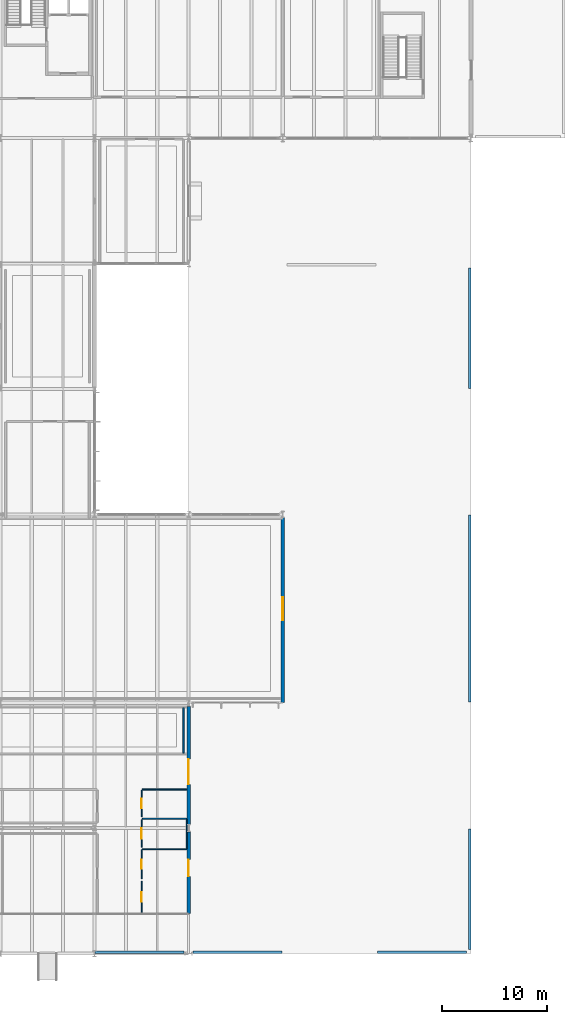
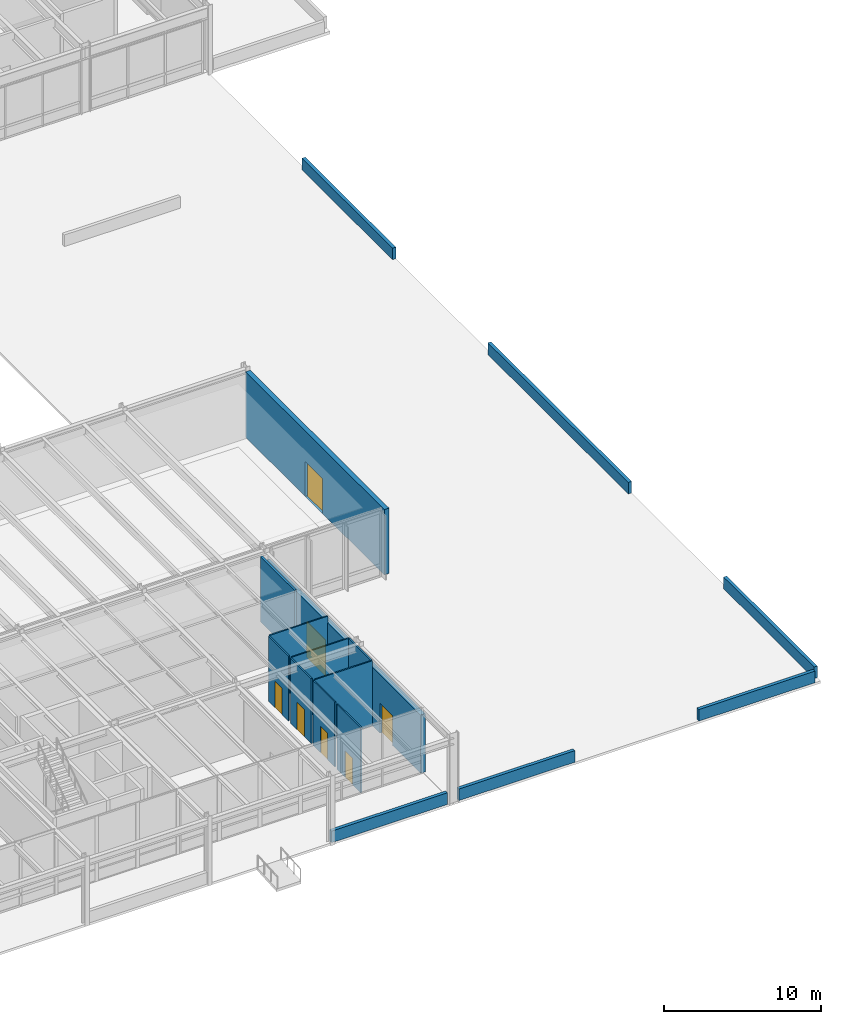
# One storey, part 128 of 143: 18 walls, 7 doors, 7 openings.
"""IFC4 building model written with IfcOpenShell, lengths in metres."""

import ifcopenshell
import ifcopenshell.guid

model = None  # the IFC model being written
_history = None  # IfcOwnerHistory: only IFC2X3 demands one
_inside = {}  # id of a spatial element -> (the spatial element, [elements in it])
_under = {}  # id of a project, library or spatial element -> (it, [spatial elements below it])
_declared = {}  # id of a project -> (the project, [libraries it declares])
_typed = {}  # id of a type object -> (the type object, [elements of that type])
_made_of = {}  # id of a material, layer set ... -> (it, [elements and type objects made of it])


def new_model(schema):
    """Start an empty IFC model of exactly this schema.

    Asked for "IFC4X3", IfcOpenShell would pick the latest addendum, in which some entities
    have other attributes; the version numbers below select the first issue.
    IFC2X3 requires an IfcOwnerHistory on every rooted entity: one is made here for all.
    """
    global model, _history
    if schema == "IFC4X3":
        model = ifcopenshell.file(schema_version=(4, 3, 0, 0))
    else:
        model = ifcopenshell.file(schema=schema)
    _inside.clear()
    _under.clear()
    _declared.clear()
    _typed.clear()
    _made_of.clear()
    _history = None
    if model.schema == "IFC2X3":
        org = make("IfcOrganization", Name="unknown")
        user = make(
            "IfcPersonAndOrganization",
            ThePerson=make("IfcPerson", FamilyName="unknown"),
            TheOrganization=org,
        )
        app = make(
            "IfcApplication",
            ApplicationDeveloper=org,
            Version="unknown",
            ApplicationFullName="unknown",
            ApplicationIdentifier="unknown",
        )
        _history = make(
            "IfcOwnerHistory",
            OwningUser=user,
            OwningApplication=app,
            ChangeAction="ADDED",
            CreationDate=0,
        )
    return model


def make(cls, **values):
    """One entity of the class cls with the attributes given. An attribute that is None is left unset."""
    return model.create_entity(
        cls, **{name: value for name, value in values.items() if value is not None}
    )


def rooted(cls, **values):
    """An entity with a GlobalId (a new one), such as an element, a storey or a relation."""
    return make(cls, GlobalId=ifcopenshell.guid.new(), OwnerHistory=_history, **values)


def si_unit(unit_type, name, prefix=None):
    """IfcSIUnit, for example si_unit("LENGTHUNIT", "METRE", prefix="MILLI")."""
    return make("IfcSIUnit", UnitType=unit_type, Prefix=prefix, Name=name)


def assignment(units):
    """IfcUnitAssignment: the units of a project."""
    return None if units is None else make("IfcUnitAssignment", Units=units)


def point(xyz):
    """IfcCartesianPoint."""
    return None if xyz is None else make("IfcCartesianPoint", Coordinates=xyz)


def direction(xyz):
    """IfcDirection."""
    return None if xyz is None else make("IfcDirection", DirectionRatios=xyz)


def frame(location, z_axis=None, x_axis=None):
    """IfcAxis2Placement3D, a coordinate frame: its origin and axes. An axis left out is left unset."""
    return make(
        "IfcAxis2Placement3D",
        Location=point(location),
        Axis=direction(z_axis),
        RefDirection=direction(x_axis),
    )


def frame_2d(location, x_axis=None):
    """IfcAxis2Placement2D, a coordinate frame in the plane: its origin and x axis."""
    return make(
        "IfcAxis2Placement2D", Location=point(location), RefDirection=direction(x_axis)
    )


def origin():
    """The frame at (0, 0, 0) with its axes left unset."""
    return frame((0.0, 0.0, 0.0))


def place(relative_to, where):
    """IfcLocalPlacement: puts the frame where relative to a parent placement (None: the world)."""
    return make(
        "IfcLocalPlacement", PlacementRelTo=relative_to, RelativePlacement=where
    )


def context(
    kind, dimensions, precision=None, world=None, true_north=None, identifier=None
):
    """IfcGeometricRepresentationContext, for example the 3D "Model" context."""
    return make(
        "IfcGeometricRepresentationContext",
        ContextIdentifier=identifier,
        ContextType=kind,
        CoordinateSpaceDimension=dimensions,
        Precision=precision,
        WorldCoordinateSystem=world,
        TrueNorth=true_north,
    )


def subcontext(parent, identifier, kind, view, scale=None):
    """IfcGeometricRepresentationSubContext, for example "Body" below "Model"."""
    return make(
        "IfcGeometricRepresentationSubContext",
        ContextIdentifier=identifier,
        ContextType=kind,
        ParentContext=parent,
        TargetScale=scale,
        TargetView=view,
    )


def project(units=None, contexts=None):
    """IfcProject with its units and contexts."""
    return rooted(
        "IfcProject",
        Name="project",
        RepresentationContexts=contexts,
        UnitsInContext=assignment(units),
    )


def spatial(cls, under=None, at=None, **own):
    """A site, building, storey or space (cls), placed at a placement, below another one or the project."""
    s = rooted(cls, ObjectPlacement=at, **own)
    if under is not None:
        _under.setdefault(under.id(), (under, []))[1].append(s)
    return s


def profile(cls, at=None, kind="AREA", **sizes):
    """A parametric profile (cls). Its sizes go by their IFC names, for example OverallWidth=200.0."""
    return make(cls, ProfileType=kind, Position=at, **sizes)


def rectangle(**sizes):
    """IfcRectangleProfileDef."""
    return profile("IfcRectangleProfileDef", **sizes)


def extrude(swept, where, along, depth):
    """IfcExtrudedAreaSolid: the profile swept, set in the frame where, extruded along a direction by depth."""
    return make(
        "IfcExtrudedAreaSolid",
        SweptArea=swept,
        Position=where,
        ExtrudedDirection=direction(along),
        Depth=depth,
    )


def shape(context_of_items, identifier, shape_type, items):
    """IfcShapeRepresentation: the items that make up one representation, for example the "Body"."""
    return make(
        "IfcShapeRepresentation",
        ContextOfItems=context_of_items,
        RepresentationIdentifier=identifier,
        RepresentationType=shape_type,
        Items=items,
    )


def material(Name=None, Category=None):
    """IfcMaterial."""
    return make("IfcMaterial", Name=Name, Category=Category)


def layer(
    of_material, thickness, ventilated=None, Name=None, Category=None, Priority=None
):
    """IfcMaterialLayer: one layer of a wall or slab, of a material (None: an air gap)."""
    return make(
        "IfcMaterialLayer",
        Material=of_material,
        LayerThickness=thickness,
        IsVentilated=ventilated,
        Name=Name,
        Category=Category,
        Priority=Priority,
    )


def layer_set(layers, Name=None):
    """IfcMaterialLayerSet."""
    return make("IfcMaterialLayerSet", MaterialLayers=layers, LayerSetName=Name)


def made_of(thing, what):
    """Note that an element or type object is made of a material, layer set ...; save() writes the relation."""
    if what is not None:
        _made_of.setdefault(what.id(), (what, []))[1].append(thing)
    return thing


def type_object(cls, material=None, **own):
    """A type object (cls), such as IfcWallType, which elements share."""
    return made_of(rooted(cls, **own), material)


def element(
    cls,
    number,
    at=None,
    inside=None,
    cuts=None,
    type_object=None,
    material=None,
    context=None,
    identifier="Body",
    shape_type=None,
    held_by="IfcProductDefinitionShape",
    body=None,
    shapes=None,
    **own,
):
    """One element of the class cls, such as IfcWall. Its Tag is "e" and its number.

    at: its placement. inside: the storey or other place that contains it. cuts: it is an
    opening in that element (IfcRelVoidsElement). A single representation is given by context,
    identifier, shape_type and body (its items); several are given by shapes. held_by: the class
    of the entity that holds the representations. save() writes the other relations.
    """
    e = rooted(cls, Tag="e%d" % number, ObjectPlacement=at, **own)
    if body is not None:
        shapes = [shape(context, identifier, shape_type, body)]
    if shapes is not None:
        e.Representation = make(held_by, Representations=shapes)
    if inside is not None:
        _inside.setdefault(inside.id(), (inside, []))[1].append(e)
    if cuts is not None:
        rooted(
            "IfcRelVoidsElement", RelatingBuildingElement=cuts, RelatedOpeningElement=e
        )
    if type_object is not None:
        _typed.setdefault(type_object.id(), (type_object, []))[1].append(e)
    return made_of(e, material)


def fill(opening, filler):
    """IfcRelFillsElement: the door or window that sits in an opening."""
    return rooted(
        "IfcRelFillsElement",
        RelatingOpeningElement=opening,
        RelatedBuildingElement=filler,
    )


def aggregate(whole, parts):
    """IfcRelAggregates: a whole, such as a stair, and the parts it consists of."""
    return rooted("IfcRelAggregates", RelatingObject=whole, RelatedObjects=parts)


def save(model, path):
    """Write the relations noted so far, then the file.

    IfcRelAggregates (storeys below a building ...), IfcRelContainedInSpatialStructure (elements
    in a storey), IfcRelDefinesByType, IfcRelAssociatesMaterial and IfcRelDeclares: one each for
    every whole, place, type object, material and project.
    """
    for whole, parts in _under.values():
        aggregate(whole, parts)
    for where, things in _inside.values():
        rooted(
            "IfcRelContainedInSpatialStructure",
            RelatedElements=things,
            RelatingStructure=where,
        )
    for kind, things in _typed.values():
        rooted("IfcRelDefinesByType", RelatedObjects=things, RelatingType=kind)
    for what, things in _made_of.values():
        rooted("IfcRelAssociatesMaterial", RelatedObjects=things, RelatingMaterial=what)
    for by, libraries in _declared.values():
        rooted("IfcRelDeclares", RelatingContext=by, RelatedDefinitions=libraries)
    model.write(path)


model = new_model("IFC4")

# Units and contexts
model_context = context("Model", 3, precision=1e-05, world=origin(), true_north=direction((0.0, 1.0)))
body_context = subcontext(model_context, "Body", "Model", "MODEL_VIEW")
ifc_project = project(units=[si_unit("LENGTHUNIT", "METRE"), si_unit("AREAUNIT", "SQUARE_METRE"), si_unit("VOLUMEUNIT", "CUBIC_METRE"), si_unit("PLANEANGLEUNIT", "RADIAN"), si_unit("MASSUNIT", "GRAM", prefix="KILO")], contexts=[model_context])

# Site, building, storey
site_placement = place(None, origin())
site = spatial("IfcSite", under=ifc_project, at=site_placement, CompositionType="ELEMENT")
building_placement = place(site_placement, origin())
building = spatial("IfcBuilding", under=site, at=building_placement, Name="Montelvaro Courts of Justice", CompositionType="ELEMENT")
storey_placement = place(building_placement, origin())
storey = spatial("IfcBuildingStorey", under=building, at=storey_placement, Name="L00", CompositionType="ELEMENT", Elevation=0.0)

# Wall
ifc_material_1 = material(Name="Gypsum board on metal stud")
ifc_layer_1 = layer(ifc_material_1, 0.14990234375)
ifc_layer_set_1 = layer_set([ifc_layer_1], Name="Gypsum board on metal stud")
wall_type_1 = type_object("IfcWallType", Name="ChambersPartition_150", PredefinedType="PARTITIONING", material=ifc_layer_set_1)
wall_1_placement = place(storey_placement, frame((134.5, 23.530029296875, 0.0), z_axis=(0.0, 0.0, 1.0), x_axis=(0.0, -1.0, 0.0)))
element("IfcWall", 1, at=wall_1_placement, inside=storey, type_object=wall_type_1, Name="Interior Partition IW-04 (L00)", PredefinedType="PARTITIONING", context=body_context, shape_type="SweptSolid", body=[
    extrude(rectangle(XDim=4.35009765625, YDim=0.14990234375, at=frame_2d((2.175048828125, 0.0))), origin(), (0.0, 0.0, 1.0), 5.0400390625),
])

# Wall, opening, door
ifc_material_2 = material(Name="Precast concrete C45/55", Category="concrete")
ifc_layer_2 = layer(ifc_material_2, 0.35009765625)
ifc_layer_set_2 = layer_set([ifc_layer_2], Name="Precast concrete C45/55")
wall_type_2 = type_object("IfcWallType", Name="ExtWall_Limestone_350", PredefinedType="SOLIDWALL", material=ifc_layer_set_2)
wall_2_placement = place(storey_placement, frame((144.0, 24.0400390625, 0.0), z_axis=(0.0, 0.0, 1.0), x_axis=(0.0, 1.0, 0.0)))
wall_2 = element("IfcWall", 2, at=wall_2_placement, inside=storey, type_object=wall_type_2, Name="Exterior Facade Wall EW-03 (L00)", PredefinedType="SOLIDWALL", context=body_context, shape_type="SweptSolid", body=[
    extrude(rectangle(XDim=17.661865234375, YDim=0.35009765625, at=frame_2d((8.8310546875, 0.0))), origin(), (0.0, 0.0, 1.0), 5.080078125),
])
opening_1_placement = place(wall_2_placement, frame((7.860107421875, 0.0, 0.0)))
opening_1 = element("IfcOpeningElement", 3, at=opening_1_placement, cuts=wall_2, Name="Opening ME-02", PredefinedType="OPENING", context=body_context, shape_type="SweptSolid", body=[
    extrude(rectangle(XDim=2.199951171875, YDim=2.699951171875, at=frame_2d((1.10009765625, 1.35009765625))), frame((0.0, 0.18994140625, 0.0), z_axis=(0.0, -1.0, 0.0), x_axis=(1.0, 0.0, 0.0)), (0.0, 0.0, 1.0), 0.3798828125),
])
ifc_material_3 = material(Name="Anodised aluminium and laminated safety glass", Category="aluminium")
door_type_1 = type_object("IfcDoorType", Name="ExtDoor_Main_220x270", OperationType="DOUBLE_DOOR_SINGLE_SWING", PredefinedType="DOOR", material=ifc_material_3)
door_1_placement = place(opening_1_placement, frame((2.199951171875, 0.0, 0.0), z_axis=(0.0, 0.0, 1.0), x_axis=(-1.0, 0.0, 0.0)))
door_1 = element("IfcDoor", 4, at=door_1_placement, inside=storey, type_object=door_type_1, Name="Main Public Entrance ME-02 Civil Registry", OperationType="DOUBLE_DOOR_SINGLE_SWING", OverallHeight=2.699951171875, OverallWidth=2.199951171875, PredefinedType="DOOR", context=body_context, shape_type="SweptSolid", body=[
    extrude(rectangle(XDim=2.199951171875, YDim=2.699951171875, at=frame_2d((1.10009765625, 1.35009765625))), frame((0.0, 0.02490234375, 0.0), z_axis=(0.0, -1.0, 0.0), x_axis=(1.0, 0.0, 0.0)), (0.0, 0.0, 1.0), 0.050048828125),
])
fill(opening_1, door_1)

wall_3_placement = place(storey_placement, frame((135.0, 3.840087890625, 0.0), z_axis=(0.0, 0.0, 1.0), x_axis=(0.0, 1.0, 0.0)))
wall_3 = element("IfcWall", 5, at=wall_3_placement, inside=storey, type_object=wall_type_2, Name="Exterior Facade Wall EW-03 (L00)", PredefinedType="SOLIDWALL", context=body_context, shape_type="SweptSolid", body=[
    extrude(rectangle(XDim=7.803955078125, YDim=0.35009765625, at=frame_2d((3.90185546875, 0.0))), origin(), (0.0, 0.0, 1.0), 4.52490234375),
])
opening_2_placement = place(wall_3_placement, frame((3.56005859375, 0.0, 0.0)))
opening_2 = element("IfcOpeningElement", 6, at=opening_2_placement, cuts=wall_3, Name="Opening ME-03", PredefinedType="OPENING", context=body_context, shape_type="SweptSolid", body=[
    extrude(rectangle(XDim=1.60009765625, YDim=2.300048828125, at=frame_2d((0.800048828125, 1.14990234375))), frame((0.0, 0.18994140625, 0.0), z_axis=(0.0, -1.0, 0.0), x_axis=(1.0, 0.0, 0.0)), (0.0, 0.0, 1.0), 0.3798828125),
])
ifc_material_4 = material(Name="Galvanised steel S355 fire door", Category="steel")
door_type_2 = type_object("IfcDoorType", Name="ExtDoor_Exit_160x230", OperationType="DOUBLE_DOOR_SINGLE_SWING", PredefinedType="DOOR", material=ifc_material_4)
door_2_placement = place(opening_2_placement, frame((1.60009765625, 0.0, 0.0), z_axis=(0.0, 0.0, 1.0), x_axis=(-1.0, 0.0, 0.0)))
door_2 = element("IfcDoor", 7, at=door_2_placement, inside=storey, type_object=door_type_2, Name="Public Concourse East Entrance ME-03", OperationType="DOUBLE_DOOR_SINGLE_SWING", OverallHeight=2.300048828125, OverallWidth=1.60009765625, PredefinedType="DOOR", context=body_context, shape_type="SweptSolid", body=[
    extrude(rectangle(XDim=1.60009765625, YDim=2.300048828125, at=frame_2d((0.800048828125, 1.14990234375))), frame((0.0, 0.02490234375, 0.0), z_axis=(0.0, -1.0, 0.0), x_axis=(1.0, 0.0, 0.0)), (0.0, 0.0, 1.0), 0.050048828125),
])
fill(opening_2, door_2)

wall_4_placement = place(storey_placement, frame((135.0, 12.35595703125, 0.0), z_axis=(0.0, 0.0, 1.0), x_axis=(0.0, 1.0, 0.0)))
wall_4 = element("IfcWall", 8, at=wall_4_placement, inside=storey, type_object=wall_type_2, Name="Exterior Facade Wall EW-03 (L00)", PredefinedType="SOLIDWALL", context=body_context, shape_type="SweptSolid", body=[
    extrude(rectangle(XDim=11.2880859375, YDim=0.35009765625, at=frame_2d((5.64404296875, 0.0))), origin(), (0.0, 0.0, 1.0), 4.52490234375),
])
opening_3_placement = place(wall_4_placement, frame((3.843994140625, 0.0, 0.0)))
opening_3 = element("IfcOpeningElement", 9, at=opening_3_placement, cuts=wall_4, Name="Opening ED-02", PredefinedType="OPENING", context=body_context, shape_type="SweptSolid", body=[
    extrude(rectangle(XDim=2.39990234375, YDim=2.800048828125, at=frame_2d((1.199951171875, 1.39990234375))), frame((0.0, 0.18994140625, 0.0), z_axis=(0.0, -1.0, 0.0), x_axis=(1.0, 0.0, 0.0)), (0.0, 0.0, 1.0), 0.3798828125),
])
door_type_3 = type_object("IfcDoorType", Name="ExtDoor_Main_240x280", OperationType="DOUBLE_DOOR_SINGLE_SWING", PredefinedType="DOOR", material=ifc_material_3)
door_3_placement = place(opening_3_placement, frame((2.39990234375, 0.0, 0.0), z_axis=(0.0, 0.0, 1.0), x_axis=(-1.0, 0.0, 0.0)))
door_3 = element("IfcDoor", 10, at=door_3_placement, inside=storey, type_object=door_type_3, Name="Final Pedestrian Exit ED-02 Stair ST-K2", OperationType="DOUBLE_DOOR_SINGLE_SWING", OverallHeight=2.800048828125, OverallWidth=2.39990234375, PredefinedType="DOOR", context=body_context, shape_type="SweptSolid", body=[
    extrude(rectangle(XDim=2.39990234375, YDim=2.800048828125, at=frame_2d((1.199951171875, 1.39990234375))), frame((0.0, 0.02490234375, 0.0), z_axis=(0.0, -1.0, 0.0), x_axis=(1.0, 0.0, 0.0)), (0.0, 0.0, 1.0), 0.050048828125),
])
fill(opening_3, door_3)

# Walls
ifc_material_5 = material(Name="White mineral precast concrete C45/55", Category="concrete")
ifc_layer_3 = layer(ifc_material_5, 0.239990234375)
ifc_layer_set_3 = layer_set([ifc_layer_3], Name="White mineral precast concrete C45/55")
wall_type_3 = type_object("IfcWallType", Name="ParapetWall_240", PredefinedType="PARAPET", material=ifc_layer_set_3)
for number, where, z_axis, x_axis, name in (
    (11, (135.419921875, 0.1201171875, 0.0), (0.0, 0.0, 1.0), (1.0, 0.0, 0.0), "Roof Parapet PW-01 L00-051"),
    (12, (153.06005859375, 0.1201171875, 0.0), (0.0, 0.0, 1.0), (1.0, 0.0, 0.0), "Roof Parapet PW-01 L00-052"),
):
    element("IfcWall", number, at=place(storey_placement, frame(where, z_axis=z_axis, x_axis=x_axis)), inside=storey, type_object=wall_type_3, Name=name, PredefinedType="PARAPET", context=body_context, shape_type="SweptSolid", body=[
        extrude(rectangle(XDim=8.52001953125, YDim=0.239990234375, at=frame_2d((4.260009765625, 0.0))), origin(), (0.0, 0.0, 1.0), 0.89990234375),
    ])
wall_5_placement = place(storey_placement, frame((161.8798828125, 0.419921875, 0.0), z_axis=(0.0, 0.0, 1.0), x_axis=(0.0, 1.0, 0.0)))
element("IfcWall", 13, at=wall_5_placement, inside=storey, type_object=wall_type_3, Name="Roof Parapet PW-01 L00-053", PredefinedType="PARAPET", context=body_context, shape_type="SweptSolid", body=[
    extrude(rectangle(XDim=11.52001953125, YDim=0.239990234375, at=frame_2d((5.760009765625, 0.0))), origin(), (0.0, 0.0, 1.0), 0.89990234375),
])
wall_6_placement = place(storey_placement, frame((161.8798828125, 24.06005859375, 0.0), z_axis=(0.0, 0.0, 1.0), x_axis=(0.0, 1.0, 0.0)))
element("IfcWall", 14, at=wall_6_placement, inside=storey, type_object=wall_type_3, Name="Roof Parapet PW-01 L00-054", PredefinedType="PARAPET", context=body_context, shape_type="SweptSolid", body=[
    extrude(rectangle(XDim=17.8798828125, YDim=0.239990234375, at=frame_2d((8.93994140625, 0.0))), origin(), (0.0, 0.0, 1.0), 0.89990234375),
])
wall_7_placement = place(storey_placement, frame((161.8798828125, 54.06005859375, 0.0), z_axis=(0.0, 0.0, 1.0), x_axis=(0.0, 1.0, 0.0)))
element("IfcWall", 15, at=wall_7_placement, inside=storey, type_object=wall_type_3, Name="Roof Parapet PW-01 L00-055", PredefinedType="PARAPET", context=body_context, shape_type="SweptSolid", body=[
    extrude(rectangle(XDim=11.52001953125, YDim=0.239990234375, at=frame_2d((5.760009765625, 0.0))), origin(), (0.0, 0.0, 1.0), 0.89990234375),
])
wall_8_placement = place(storey_placement, frame((126.06005859375, 0.1201171875, 0.0), z_axis=(0.0, 0.0, 1.0), x_axis=(1.0, 0.0, 0.0)))
element("IfcWall", 16, at=wall_8_placement, inside=storey, type_object=wall_type_3, Name="Roof Parapet PW-01 L00-070", PredefinedType="PARAPET", context=body_context, shape_type="SweptSolid", body=[
    extrude(rectangle(XDim=8.52001953125, YDim=0.239990234375, at=frame_2d((4.260009765625, 0.0))), origin(), (0.0, 0.0, 1.0), 0.89990234375),
])

# Wall, opening, door
ifc_material_6 = material(Name="Moisture-resistant cement board")
ifc_layer_4 = layer(ifc_material_6, 0.10009765625)
ifc_layer_set_4 = layer_set([ifc_layer_4], Name="Moisture-resistant cement board")
wall_type_4 = type_object("IfcWallType", Name="WetWall_100", PredefinedType="PARTITIONING", material=ifc_layer_set_4)
wall_9_placement = place(storey_placement, frame((130.5, 3.875, 0.0), z_axis=(0.0, 0.0, 1.0), x_axis=(0.0, 1.0, 0.0)))
wall_9 = element("IfcWall", 17, at=wall_9_placement, inside=storey, type_object=wall_type_4, Name="Interior Partition IW-06 (L00)", PredefinedType="PARTITIONING", context=body_context, shape_type="SweptSolid", body=[
    extrude(rectangle(XDim=3.044921875, YDim=0.10009765625, at=frame_2d((1.5224609375, 0.0))), origin(), (0.0, 0.0, 1.0), 5.0400390625),
])
opening_4_placement = place(wall_9_placement, frame((1.072998046875, 0.0, 0.0)))
opening_4 = element("IfcOpeningElement", 18, at=opening_4_placement, cuts=wall_9, Name="Opening D-L00-051", PredefinedType="OPENING", context=body_context, shape_type="SweptSolid", body=[
    extrude(rectangle(XDim=0.89990234375, YDim=2.050048828125, at=frame_2d((0.449951171875, 1.02490234375))), frame((0.0, 0.06494140625, 0.0), z_axis=(0.0, -1.0, 0.0), x_axis=(1.0, 0.0, 0.0)), (0.0, 0.0, 1.0), 0.1298828125),
])
ifc_material_7 = material(Name="Acoustic oak timber veneer", Category="wood")
door_type_4 = type_object("IfcDoorType", Name="RestroomDoor_090x205", OperationType="NOTDEFINED", PredefinedType="DOOR", material=ifc_material_7)
door_4_placement = place(opening_4_placement, frame((0.89990234375, 0.0, 0.0), z_axis=(0.0, 0.0, 1.0), x_axis=(-1.0, 0.0, 0.0)))
door_4 = element("IfcDoor", 19, at=door_4_placement, inside=storey, type_object=door_type_4, Name="Interior Door D-L00-051 (Ground Public Male Restroom)", OperationType="SINGLE_SWING_LEFT", OverallHeight=2.050048828125, OverallWidth=0.89990234375, PredefinedType="DOOR", context=body_context, shape_type="SweptSolid", body=[
    extrude(rectangle(XDim=0.89990234375, YDim=2.050048828125, at=frame_2d((0.449951171875, 1.02490234375))), frame((0.0, 0.02490234375, 0.0), z_axis=(0.0, -1.0, 0.0), x_axis=(1.0, 0.0, 0.0)), (0.0, 0.0, 1.0), 0.050048828125),
])
fill(opening_4, door_4)

wall_10_placement = place(storey_placement, frame((130.5, 7.179931640625, 0.0), z_axis=(0.0, 0.0, 1.0), x_axis=(0.0, 1.0, 0.0)))
wall_10 = element("IfcWall", 20, at=wall_10_placement, inside=storey, type_object=wall_type_4, Name="Interior Partition IW-06 (L00)", PredefinedType="PARTITIONING", context=body_context, shape_type="SweptSolid", body=[
    extrude(rectangle(XDim=2.739990234375, YDim=0.10009765625, at=frame_2d((1.3701171875, 0.0))), origin(), (0.0, 0.0, 1.0), 5.0400390625),
])
opening_5_placement = place(wall_10_placement, frame((0.919921875, 0.0, 0.0)))
opening_5 = element("IfcOpeningElement", 21, at=opening_5_placement, cuts=wall_10, Name="Opening D-L00-052", PredefinedType="OPENING", context=body_context, shape_type="SweptSolid", body=[
    extrude(rectangle(XDim=0.89990234375, YDim=2.050048828125, at=frame_2d((0.449951171875, 1.02490234375))), frame((0.0, 0.06494140625, 0.0), z_axis=(0.0, -1.0, 0.0), x_axis=(1.0, 0.0, 0.0)), (0.0, 0.0, 1.0), 0.1298828125),
])
door_5_placement = place(opening_5_placement, origin())
door_5 = element("IfcDoor", 22, at=door_5_placement, inside=storey, type_object=door_type_4, Name="Interior Door D-L00-052 (Ground Public Female Restroom)", OperationType="SINGLE_SWING_RIGHT", OverallHeight=2.050048828125, OverallWidth=0.89990234375, PredefinedType="DOOR", context=body_context, shape_type="SweptSolid", body=[
    extrude(rectangle(XDim=0.89990234375, YDim=2.050048828125, at=frame_2d((0.449951171875, 1.02490234375))), frame((0.0, 0.02490234375, 0.0), z_axis=(0.0, -1.0, 0.0), x_axis=(1.0, 0.0, 0.0)), (0.0, 0.0, 1.0), 0.050048828125),
])
fill(opening_5, door_5)

# Walls
for number, where, z_axis, x_axis, name in (
    (23, (130.580078125, 10.0, 0.0), (0.0, 0.0, 1.0), (1.0, 0.0, 0.0), "Interior Partition IW-06 (L00)"),
    (24, (130.580078125, 12.89990234375, 0.0), (0.0, 0.0, 1.0), (1.0, 0.0, 0.0), "Interior Partition IW-06 (L00)"),
):
    element("IfcWall", number, at=place(storey_placement, frame(where, z_axis=z_axis, x_axis=x_axis)), inside=storey, type_object=wall_type_4, Name=name, PredefinedType="PARTITIONING", context=body_context, shape_type="SweptSolid", body=[
        extrude(rectangle(XDim=4.25, YDim=0.10009765625, at=frame_2d((2.125, 0.0))), origin(), (0.0, 0.0, 1.0), 5.0400390625),
    ])
wall_11_placement = place(storey_placement, frame((134.800048828125, 12.85498046875, 0.0), z_axis=(0.0, 0.0, 1.0), x_axis=(0.0, -1.0, 0.0)))
element("IfcWall", 25, at=wall_11_placement, inside=storey, type_object=wall_type_4, Name="Interior Partition IW-06 (L00)", PredefinedType="PARTITIONING", context=body_context, shape_type="SweptSolid", body=[
    extrude(rectangle(XDim=2.81005859375, YDim=0.10009765625, at=frame_2d((1.405029296875, 0.0))), origin(), (0.0, 0.0, 1.0), 5.0400390625),
])

# Wall, opening, door
wall_12_placement = place(storey_placement, frame((130.5, 10.179931640625, 0.0), z_axis=(0.0, 0.0, 1.0), x_axis=(0.0, 1.0, 0.0)))
wall_12 = element("IfcWall", 26, at=wall_12_placement, inside=storey, type_object=wall_type_4, Name="Interior Partition IW-06 (L00)", PredefinedType="PARTITIONING", context=body_context, shape_type="SweptSolid", body=[
    extrude(rectangle(XDim=2.64013671875, YDim=0.10009765625, at=frame_2d((1.320068359375, 0.0))), origin(), (0.0, 0.0, 1.0), 5.0400390625),
])
opening_6_placement = place(wall_12_placement, frame((0.820068359375, 0.0, 0.0)))
opening_6 = element("IfcOpeningElement", 27, at=opening_6_placement, cuts=wall_12, Name="Opening D-L00-053", PredefinedType="OPENING", context=body_context, shape_type="SweptSolid", body=[
    extrude(rectangle(XDim=1.0, YDim=2.10009765625, at=frame_2d((0.5, 1.050048828125))), frame((0.0, 0.06494140625, 0.0), z_axis=(0.0, -1.0, 0.0), x_axis=(1.0, 0.0, 0.0)), (0.0, 0.0, 1.0), 0.1298828125),
])
door_type_5 = type_object("IfcDoorType", Name="AccessibleWCDoor_100x210", OperationType="NOTDEFINED", PredefinedType="DOOR", material=ifc_material_7)
door_6_placement = place(opening_6_placement, frame((1.0, 0.0, 0.0), z_axis=(0.0, 0.0, 1.0), x_axis=(-1.0, 0.0, 0.0)))
door_6 = element("IfcDoor", 28, at=door_6_placement, inside=storey, type_object=door_type_5, Name="Interior Door D-L00-053 (Ground Public Accessible WC)", OperationType="SINGLE_SWING_LEFT", OverallHeight=2.10009765625, OverallWidth=1.0, PredefinedType="DOOR", context=body_context, shape_type="SweptSolid", body=[
    extrude(rectangle(XDim=1.0, YDim=2.10009765625, at=frame_2d((0.5, 1.050048828125))), frame((0.0, 0.02490234375, 0.0), z_axis=(0.0, -1.0, 0.0), x_axis=(1.0, 0.0, 0.0)), (0.0, 0.0, 1.0), 0.050048828125),
])
fill(opening_6, door_6)

# Wall
wall_13_placement = place(storey_placement, frame((130.580078125, 15.699951171875, 0.0), z_axis=(0.0, 0.0, 1.0), x_axis=(1.0, 0.0, 0.0)))
element("IfcWall", 29, at=wall_13_placement, inside=storey, type_object=wall_type_4, Name="Interior Partition IW-06 (L00)", PredefinedType="PARTITIONING", context=body_context, shape_type="SweptSolid", body=[
    extrude(rectangle(XDim=4.25, YDim=0.10009765625, at=frame_2d((2.125, 0.0))), origin(), (0.0, 0.0, 1.0), 5.0400390625),
])

# Wall, opening, door
wall_14_placement = place(storey_placement, frame((130.5, 13.080078125, 0.0), z_axis=(0.0, 0.0, 1.0), x_axis=(0.0, 1.0, 0.0)))
wall_14 = element("IfcWall", 30, at=wall_14_placement, inside=storey, type_object=wall_type_4, Name="Interior Partition IW-06 (L00)", PredefinedType="PARTITIONING", context=body_context, shape_type="SweptSolid", body=[
    extrude(rectangle(XDim=2.5400390625, YDim=0.10009765625, at=frame_2d((1.27001953125, 0.0))), origin(), (0.0, 0.0, 1.0), 5.0400390625),
])
opening_7_placement = place(wall_14_placement, frame((0.820068359375, 0.0, 0.0)))
opening_7 = element("IfcOpeningElement", 31, at=opening_7_placement, cuts=wall_14, Name="Opening D-L00-054", PredefinedType="OPENING", context=body_context, shape_type="SweptSolid", body=[
    extrude(rectangle(XDim=0.89990234375, YDim=2.050048828125, at=frame_2d((0.449951171875, 1.02490234375))), frame((0.0, 0.06494140625, 0.0), z_axis=(0.0, -1.0, 0.0), x_axis=(1.0, 0.0, 0.0)), (0.0, 0.0, 1.0), 0.1298828125),
])
door_7_placement = place(opening_7_placement, origin())
door_7 = element("IfcDoor", 32, at=door_7_placement, inside=storey, type_object=door_type_4, Name="Interior Door D-L00-054 (Ground Public Cleaners' Store)", OperationType="SINGLE_SWING_RIGHT", OverallHeight=2.050048828125, OverallWidth=0.89990234375, PredefinedType="DOOR", context=body_context, shape_type="SweptSolid", body=[
    extrude(rectangle(XDim=0.89990234375, YDim=2.050048828125, at=frame_2d((0.449951171875, 1.02490234375))), frame((0.0, 0.02490234375, 0.0), z_axis=(0.0, -1.0, 0.0), x_axis=(1.0, 0.0, 0.0)), (0.0, 0.0, 1.0), 0.050048828125),
])
fill(opening_7, door_7)

save(model, "model.ifc")
